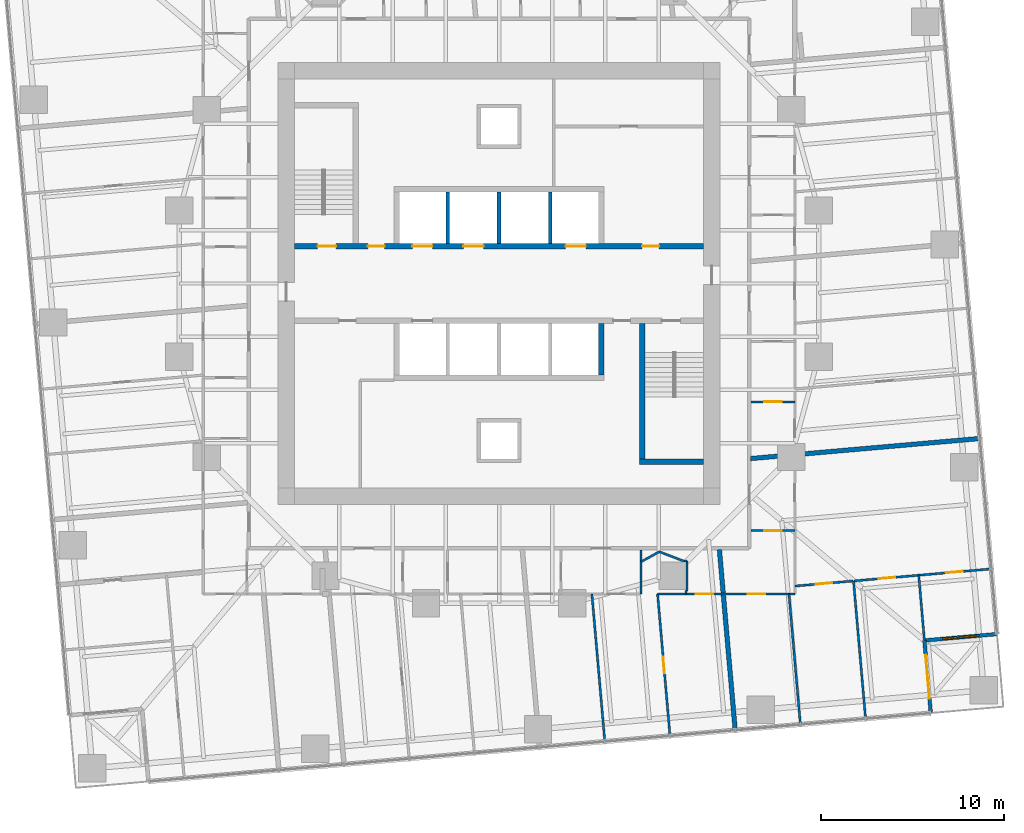
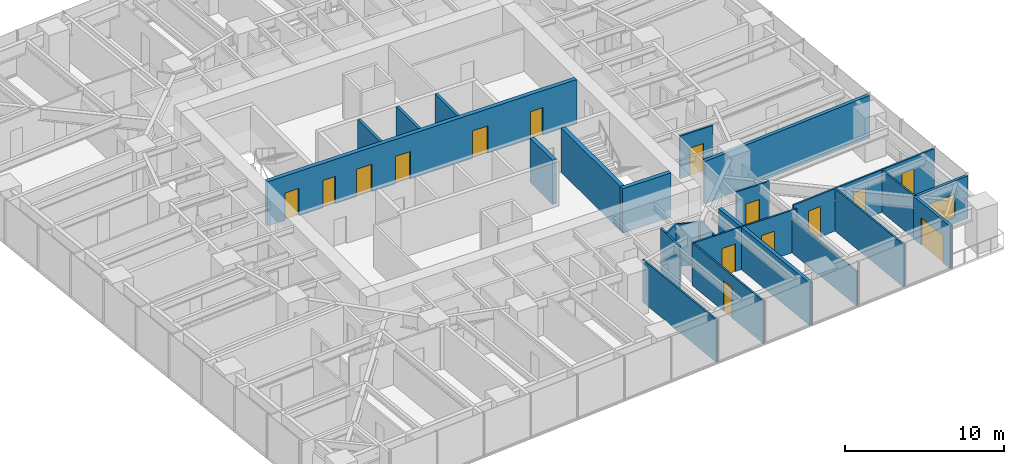
# One storey, part 10 of 14: 27 walls, 15 doors, 1 window, 16 openings.
"""IFC4 building model written with IfcOpenShell, lengths in metres."""

from ifc_helpers import new_model, si_unit, direction, frame, frame_2d, origin, place, context, subcontext, project, spatial, rectangle, extrude, material, layer, layer_set, type_object, element, fill, save


model = new_model("IFC4")

# Units and contexts
model_context = context("Model", 3, precision=1e-05, world=origin(), true_north=direction((0.0, 1.0)))
body_context = subcontext(model_context, "Body", "Model", "MODEL_VIEW")
ifc_project = project(units=[si_unit("LENGTHUNIT", "METRE"), si_unit("AREAUNIT", "SQUARE_METRE"), si_unit("VOLUMEUNIT", "CUBIC_METRE"), si_unit("PLANEANGLEUNIT", "RADIAN"), si_unit("MASSUNIT", "GRAM", prefix="KILO")], contexts=[model_context])

# Site, building, storey
site_placement = place(None, origin())
site = spatial("IfcSite", under=ifc_project, at=site_placement, CompositionType="ELEMENT")
building_placement = place(site_placement, origin())
building = spatial("IfcBuilding", under=site, at=building_placement, Name="Torsade Residences", CompositionType="ELEMENT")
storey_placement = place(building_placement, frame((0.0, 0.0, 64.199951171875)))
storey = spatial("IfcBuildingStorey", under=building, at=storey_placement, Name="L17", CompositionType="ELEMENT", Elevation=64.199951171875)

# Wall, openings, doors
ifc_material_1 = material(Name="Concrete 80 MPa", Category="concrete")
ifc_layer_1 = layer(ifc_material_1, 0.300048828125)
ifc_layer_set_1 = layer_set([ifc_layer_1], Name="Concrete 80 MPa")
wall_type_1 = type_object("IfcWallType", Name="CORE INTERNAL WALL 300", PredefinedType="SHEAR", material=ifc_layer_set_1)
wall_1_placement = place(storey_placement, frame((28.800048828125, 32.050048828125, 0.0), z_axis=(0.0, 0.0, 1.0), x_axis=(1.0, 0.0, 0.0)))
wall_1 = element("IfcWall", 1, at=wall_1_placement, inside=storey, type_object=wall_type_1, Name="Core wall LN L17", PredefinedType="SHEAR", context=body_context, shape_type="SweptSolid", body=[
    extrude(rectangle(XDim=22.39990234375, YDim=0.300048828125, at=frame_2d((11.199951171875, 0.0))), origin(), (0.0, 0.0, 1.0), 3.400146484375),
])
opening_1_placement = place(wall_1_placement, frame((19.0400390625, 0.0, 0.0)))
opening_1 = element("IfcOpeningElement", 2, at=opening_1_placement, cuts=wall_1, Name="Opening D06", PredefinedType="OPENING", context=body_context, shape_type="SweptSolid", body=[
    extrude(rectangle(XDim=0.919921875, YDim=2.10009765625, at=frame_2d((0.4599609375, 1.050048828125))), frame((0.0, 0.159912109375, 0.0), z_axis=(0.0, -1.0, 0.0), x_axis=(1.0, 0.0, 0.0)), (0.0, 0.0, 1.0), 0.320068359375),
])
opening_2_placement = place(wall_1_placement, frame((1.264892578125, 0.0, 0.0)))
opening_2 = element("IfcOpeningElement", 3, at=opening_2_placement, cuts=wall_1, Name="Opening D03", PredefinedType="OPENING", context=body_context, shape_type="SweptSolid", body=[
    extrude(rectangle(XDim=1.02001953125, YDim=2.10009765625, at=frame_2d((0.510009765625, 1.050048828125))), frame((0.0, 0.159912109375, 0.0), z_axis=(0.0, -1.0, 0.0), x_axis=(1.0, 0.0, 0.0)), (0.0, 0.0, 1.0), 0.320068359375),
])
opening_3_placement = place(wall_1_placement, frame((4.014892578125, 0.0, 0.0)))
opening_3 = element("IfcOpeningElement", 4, at=opening_3_placement, cuts=wall_1, Name="Opening D06", PredefinedType="OPENING", context=body_context, shape_type="SweptSolid", body=[
    extrude(rectangle(XDim=0.919921875, YDim=2.10009765625, at=frame_2d((0.4599609375, 1.050048828125))), frame((0.0, 0.159912109375, 0.0), z_axis=(0.0, -1.0, 0.0), x_axis=(1.0, 0.0, 0.0)), (0.0, 0.0, 1.0), 0.320068359375),
])
opening_4_placement = place(wall_1_placement, frame((6.449951171875, 0.0, 0.0)))
opening_4 = element("IfcOpeningElement", 5, at=opening_4_placement, cuts=wall_1, Name="Opening LD", PredefinedType="OPENING", context=body_context, shape_type="SweptSolid", body=[
    extrude(rectangle(XDim=1.10009765625, YDim=2.10009765625, at=frame_2d((0.550048828125, 1.050048828125))), frame((0.0, 0.159912109375, 0.0), z_axis=(0.0, -1.0, 0.0), x_axis=(1.0, 0.0, 0.0)), (0.0, 0.0, 1.0), 0.320068359375),
])
opening_5_placement = place(wall_1_placement, frame((9.25, 0.0, 0.0)))
opening_5 = element("IfcOpeningElement", 6, at=opening_5_placement, cuts=wall_1, Name="Opening LD", PredefinedType="OPENING", context=body_context, shape_type="SweptSolid", body=[
    extrude(rectangle(XDim=1.10009765625, YDim=2.10009765625, at=frame_2d((0.550048828125, 1.050048828125))), frame((0.0, 0.159912109375, 0.0), z_axis=(0.0, -1.0, 0.0), x_axis=(1.0, 0.0, 0.0)), (0.0, 0.0, 1.0), 0.320068359375),
])
opening_6_placement = place(wall_1_placement, frame((14.85009765625, 0.0, 0.0)))
opening_6 = element("IfcOpeningElement", 7, at=opening_6_placement, cuts=wall_1, Name="Opening LD", PredefinedType="OPENING", context=body_context, shape_type="SweptSolid", body=[
    extrude(rectangle(XDim=1.10009765625, YDim=2.10009765625, at=frame_2d((0.550048828125, 1.050048828125))), frame((0.0, 0.159912109375, 0.0), z_axis=(0.0, -1.0, 0.0), x_axis=(1.0, 0.0, 0.0)), (0.0, 0.0, 1.0), 0.320068359375),
])
ifc_material_2 = material(Name="Steel-framed fire door", Category="steel")
door_type_1 = type_object("IfcDoorType", Name="FIRE DOOR 1020", OperationType="NOTDEFINED", PredefinedType="DOOR", material=ifc_material_2)
door_1_placement = place(opening_2_placement, origin())
door_1 = element("IfcDoor", 8, at=door_1_placement, inside=storey, type_object=door_type_1, Name="Exit door to fire-isolated stair ST1 L17", OperationType="SINGLE_SWING_RIGHT", OverallHeight=2.10009765625, OverallWidth=1.02001953125, PredefinedType="DOOR", context=body_context, shape_type="SweptSolid", body=[
    extrude(rectangle(XDim=1.02001953125, YDim=2.10009765625, at=frame_2d((0.510009765625, 1.050048828125))), frame((0.0, 0.02490234375, 0.0), z_axis=(0.0, -1.0, 0.0), x_axis=(1.0, 0.0, 0.0)), (0.0, 0.0, 1.0), 0.050048828125),
])
fill(opening_2, door_1)
ifc_material_3 = material(Name="Steel-framed fire door", Category="steel")
door_type_2 = type_object("IfcDoorType", Name="FIRE DOOR 920", OperationType="NOTDEFINED", PredefinedType="DOOR", material=ifc_material_3)
door_2_placement = place(opening_1_placement, origin())
door_2 = element("IfcDoor", 9, at=door_2_placement, inside=storey, type_object=door_type_2, Name="Door Lift lobby to Refuse room", OperationType="SINGLE_SWING_LEFT", OverallHeight=2.10009765625, OverallWidth=0.919921875, PredefinedType="DOOR", context=body_context, shape_type="SweptSolid", body=[
    extrude(rectangle(XDim=0.919921875, YDim=2.10009765625, at=frame_2d((0.4599609375, 1.050048828125))), frame((0.0, 0.02490234375, 0.0), z_axis=(0.0, -1.0, 0.0), x_axis=(1.0, 0.0, 0.0)), (0.0, 0.0, 1.0), 0.050048828125),
])
fill(opening_1, door_2)
door_3_placement = place(opening_3_placement, origin())
door_3 = element("IfcDoor", 10, at=door_3_placement, inside=storey, type_object=door_type_2, Name="Door Lift lobby to Electrical riser room", OperationType="SINGLE_SWING_LEFT", OverallHeight=2.10009765625, OverallWidth=0.919921875, PredefinedType="DOOR", context=body_context, shape_type="SweptSolid", body=[
    extrude(rectangle(XDim=0.919921875, YDim=2.10009765625, at=frame_2d((0.4599609375, 1.050048828125))), frame((0.0, 0.02490234375, 0.0), z_axis=(0.0, -1.0, 0.0), x_axis=(1.0, 0.0, 0.0)), (0.0, 0.0, 1.0), 0.050048828125),
])
fill(opening_3, door_3)
ifc_material_4 = material(Name="Stainless steel lift landing door", Category="steel")
door_type_3 = type_object("IfcDoorType", Name="LIFT LANDING DOOR 1100", OperationType="SLIDING_TO_LEFT", PredefinedType="DOOR", material=ifc_material_4)
door_4_placement = place(opening_4_placement, origin())
door_4 = element("IfcDoor", 11, at=door_4_placement, inside=storey, type_object=door_type_3, Name="Lift LA1 landing door L17", OperationType="SLIDING_TO_LEFT", OverallHeight=2.10009765625, OverallWidth=1.10009765625, PredefinedType="DOOR", context=body_context, shape_type="SweptSolid", body=[
    extrude(rectangle(XDim=1.10009765625, YDim=2.10009765625, at=frame_2d((0.550048828125, 1.050048828125))), frame((0.0, 0.02490234375, 0.0), z_axis=(0.0, -1.0, 0.0), x_axis=(1.0, 0.0, 0.0)), (0.0, 0.0, 1.0), 0.050048828125),
])
fill(opening_4, door_4)
door_5_placement = place(opening_5_placement, origin())
door_5 = element("IfcDoor", 12, at=door_5_placement, inside=storey, type_object=door_type_3, Name="Lift LA2 landing door L17", OperationType="SLIDING_TO_LEFT", OverallHeight=2.10009765625, OverallWidth=1.10009765625, PredefinedType="DOOR", context=body_context, shape_type="SweptSolid", body=[
    extrude(rectangle(XDim=1.10009765625, YDim=2.10009765625, at=frame_2d((0.550048828125, 1.050048828125))), frame((0.0, 0.02490234375, 0.0), z_axis=(0.0, -1.0, 0.0), x_axis=(1.0, 0.0, 0.0)), (0.0, 0.0, 1.0), 0.050048828125),
])
fill(opening_5, door_5)
door_6_placement = place(opening_6_placement, origin())
door_6 = element("IfcDoor", 13, at=door_6_placement, inside=storey, type_object=door_type_3, Name="Lift FL1 landing door L17", OperationType="SLIDING_TO_LEFT", OverallHeight=2.10009765625, OverallWidth=1.10009765625, PredefinedType="DOOR", context=body_context, shape_type="SweptSolid", body=[
    extrude(rectangle(XDim=1.10009765625, YDim=2.10009765625, at=frame_2d((0.550048828125, 1.050048828125))), frame((0.0, 0.02490234375, 0.0), z_axis=(0.0, -1.0, 0.0), x_axis=(1.0, 0.0, 0.0)), (0.0, 0.0, 1.0), 0.050048828125),
])
fill(opening_6, door_6)

# Walls
wall_2_placement = place(storey_placement, frame((45.60009765625, 27.800048828125, 0.0), z_axis=(0.0, 0.0, 1.0), x_axis=(0.0, -1.0, 0.0)))
element("IfcWall", 14, at=wall_2_placement, inside=storey, type_object=wall_type_1, Name="Core wall DS0 L17", PredefinedType="SHEAR", context=body_context, shape_type="SweptSolid", body=[
    extrude(rectangle(XDim=2.800048828125, YDim=0.300048828125, at=frame_2d((1.39990234375, 0.0))), origin(), (0.0, 0.0, 1.0), 3.400146484375),
])
wall_3_placement = place(storey_placement, frame((47.85009765625, 27.800048828125, 0.0), z_axis=(0.0, 0.0, 1.0), x_axis=(0.0, -1.0, 0.0)))
element("IfcWall", 15, at=wall_3_placement, inside=storey, type_object=wall_type_1, Name="Core wall ST2W L17", PredefinedType="SHEAR", context=body_context, shape_type="SweptSolid", body=[
    extrude(rectangle(XDim=7.699951171875, YDim=0.300048828125, at=frame_2d((3.85009765625, 0.0))), origin(), (0.0, 0.0, 1.0), 3.400146484375),
])
wall_4_placement = place(storey_placement, frame((51.199951171875, 20.25, 0.0), z_axis=(0.0, 0.0, 1.0), x_axis=(-1.0, 0.0, 0.0)))
element("IfcWall", 16, at=wall_4_placement, inside=storey, type_object=wall_type_1, Name="Core wall ST2S L17", PredefinedType="SHEAR", context=body_context, shape_type="SweptSolid", body=[
    extrude(rectangle(XDim=3.5, YDim=0.300048828125, at=frame_2d((1.75, 0.0))), origin(), (0.0, 0.0, 1.0), 3.400146484375),
])
ifc_material_5 = material(Name="Reinforced blockwork", Category="masonry")
ifc_layer_2 = layer(ifc_material_5, 0.199951171875)
ifc_layer_set_2 = layer_set([ifc_layer_2], Name="Reinforced blockwork")
wall_type_2 = type_object("IfcWallType", Name="LIFT SHAFT DIVIDING WALL 200", PredefinedType="SOLIDWALL", material=ifc_layer_set_2)
for number, where, z_axis, x_axis, name in (
    (17, (37.199951171875, 32.199951171875, 0.0), (0.0, 0.0, 1.0), (0.0, 1.0, 0.0), "Core wall DN1 L17"),
    (18, (40.0, 32.199951171875, 0.0), (0.0, 0.0, 1.0), (0.0, 1.0, 0.0), "Core wall DN2 L17"),
    (19, (42.800048828125, 32.199951171875, 0.0), (0.0, 0.0, 1.0), (0.0, 1.0, 0.0), "Core wall DN3 L17"),
):
    element("IfcWall", number, at=place(storey_placement, frame(where, z_axis=z_axis, x_axis=x_axis)), inside=storey, type_object=wall_type_2, Name=name, PredefinedType="SOLIDWALL", context=body_context, shape_type="SweptSolid", body=[
        extrude(rectangle(XDim=2.800048828125, YDim=0.199951171875, at=frame_2d((1.39990234375, 0.0))), origin(), (0.0, 0.0, 1.0), 3.400146484375),
    ])
ifc_material_6 = material(Name="Plasterboard on steel stud", Category="steel")
ifc_layer_3 = layer(ifc_material_6, 0.1201171875)
ifc_layer_set_3 = layer_set([ifc_layer_3], Name="Plasterboard on steel stud")
wall_type_3 = type_object("IfcWallType", Name="PARTITION 120", PredefinedType="PARTITIONING", material=ifc_layer_set_3)
wall_5_placement = place(storey_placement, frame((47.7783203125, 15.39990234375, 0.0), z_axis=(0.0, 0.0, 1.0), x_axis=(0.0, -1.0, 0.0)))
element("IfcWall", 20, at=wall_5_placement, inside=storey, type_object=wall_type_3, Name="Partition L17", PredefinedType="PARTITIONING", context=body_context, shape_type="SweptSolid", body=[
    extrude(rectangle(XDim=2.39990234375, YDim=0.1201171875, at=frame_2d((1.199951171875, 0.0))), origin(), (0.0, 0.0, 1.0), 3.25),
])
wall_6_placement = place(storey_placement, frame((50.23876953125, 13.0, 0.0), z_axis=(0.0, 0.0, 1.0), x_axis=(0.045131013234, 0.99898107672, 0.0)))
element("IfcWall", 21, at=wall_6_placement, inside=storey, type_object=wall_type_3, Name="Partition L17", PredefinedType="PARTITIONING", context=body_context, shape_type="SweptSolid", body=[
    extrude(rectangle(XDim=0.2001953125, YDim=0.1201171875, at=frame_2d((0.10009765625, 0.0))), origin(), (0.0, 0.0, 1.0), 3.25),
])
wall_7_placement = place(storey_placement, frame((50.300048828125, 13.199951171875, 0.0), z_axis=(0.0, 0.0, 1.0), x_axis=(0.0, 1.0, 0.0)))
element("IfcWall", 22, at=wall_7_placement, inside=storey, type_object=wall_type_3, Name="Partition L17", PredefinedType="PARTITIONING", context=body_context, shape_type="SweptSolid", body=[
    extrude(rectangle(XDim=1.60009765625, YDim=0.1201171875, at=frame_2d((0.800048828125, 0.0))), origin(), (0.0, 0.0, 1.0), 3.25),
])
wall_8_placement = place(storey_placement, frame((50.119140625, 14.800048828125, 0.0), z_axis=(0.0, 0.0, 1.0), x_axis=(-0.934135067997, 0.356919703488, 0.0)))
element("IfcWall", 23, at=wall_8_placement, inside=storey, type_object=wall_type_3, Name="Partition L17", PredefinedType="PARTITIONING", context=body_context, shape_type="SweptSolid", body=[
    extrude(rectangle(XDim=1.4384765625, YDim=0.1201171875, at=frame_2d((0.71923828125, 0.0))), origin(), (0.0, 0.0, 1.0), 3.25),
])
wall_9_placement = place(storey_placement, frame((48.775390625, 15.3134765625, 0.0), z_axis=(0.0, 0.0, 1.0), x_axis=(-0.875508887439, -0.483202015741, 0.0)))
element("IfcWall", 24, at=wall_9_placement, inside=storey, type_object=wall_type_3, Name="Partition L17", PredefinedType="PARTITIONING", context=body_context, shape_type="SweptSolid", body=[
    extrude(rectangle(XDim=1.138916015625, YDim=0.1201171875, at=frame_2d((0.5693359375, 0.0))), origin(), (0.0, 0.0, 1.0), 3.25),
])

# Wall, openings, doors
wall_10_placement = place(storey_placement, frame((56.199951171875, 13.0, 0.0), z_axis=(0.0, 0.0, 1.0), x_axis=(-1.0, 0.0, 0.0)))
wall_10 = element("IfcWall", 25, at=wall_10_placement, inside=storey, type_object=wall_type_3, Name="Partition L17", PredefinedType="PARTITIONING", context=body_context, shape_type="SweptSolid", body=[
    extrude(rectangle(XDim=7.5185546875, YDim=0.1201171875, at=frame_2d((3.75927734375, 0.0))), origin(), (0.0, 0.0, 1.0), 3.25),
])
opening_7_placement = place(wall_10_placement, frame((1.617919921875, 0.0, 0.0)))
opening_7 = element("IfcOpeningElement", 26, at=opening_7_placement, cuts=wall_10, Name="Opening D05", PredefinedType="OPENING", context=body_context, shape_type="SweptSolid", body=[
    extrude(rectangle(XDim=0.9599609375, YDim=2.10009765625, at=frame_2d((0.47998046875, 1.050048828125))), frame((0.0, 0.070068359375, 0.0), z_axis=(0.0, -1.0, 0.0), x_axis=(1.0, 0.0, 0.0)), (0.0, 0.0, 1.0), 0.14013671875),
])
opening_8_placement = place(wall_10_placement, frame((4.46142578125, 0.0, 0.0)))
opening_8 = element("IfcOpeningElement", 27, at=opening_8_placement, cuts=wall_10, Name="Opening D05", PredefinedType="OPENING", context=body_context, shape_type="SweptSolid", body=[
    extrude(rectangle(XDim=0.9599609375, YDim=2.10009765625, at=frame_2d((0.47998046875, 1.050048828125))), frame((0.0, 0.070068359375, 0.0), z_axis=(0.0, -1.0, 0.0), x_axis=(1.0, 0.0, 0.0)), (0.0, 0.0, 1.0), 0.14013671875),
])
ifc_material_7 = material(Name="Hollow-core timber door in a steel cavity frame", Category="steel")
door_type_4 = type_object("IfcDoorType", Name="BATHROOM CAVITY SLIDING DOOR 960", OperationType="SLIDING_TO_LEFT", PredefinedType="DOOR", material=ifc_material_7)
door_7_placement = place(opening_7_placement, origin())
door_7 = element("IfcDoor", 28, at=door_7_placement, inside=storey, type_object=door_type_4, Name="Door Bathroom to Study", OperationType="SLIDING_TO_LEFT", OverallHeight=2.10009765625, OverallWidth=0.9599609375, PredefinedType="DOOR", context=body_context, shape_type="SweptSolid", body=[
    extrude(rectangle(XDim=0.9599609375, YDim=2.10009765625, at=frame_2d((0.47998046875, 1.050048828125))), frame((0.0, 0.02490234375, 0.0), z_axis=(0.0, -1.0, 0.0), x_axis=(1.0, 0.0, 0.0)), (0.0, 0.0, 1.0), 0.050048828125),
])
fill(opening_7, door_7)
door_8_placement = place(opening_8_placement, origin())
door_8 = element("IfcDoor", 29, at=door_8_placement, inside=storey, type_object=door_type_4, Name="Door Bedroom 2 to Bathroom", OperationType="SLIDING_TO_LEFT", OverallHeight=2.10009765625, OverallWidth=0.9599609375, PredefinedType="DOOR", context=body_context, shape_type="SweptSolid", body=[
    extrude(rectangle(XDim=0.9599609375, YDim=2.10009765625, at=frame_2d((0.47998046875, 1.050048828125))), frame((0.0, 0.02490234375, 0.0), z_axis=(0.0, -1.0, 0.0), x_axis=(1.0, 0.0, 0.0)), (0.0, 0.0, 1.0), 0.050048828125),
])
fill(opening_8, door_8)

# Wall
wall_11_placement = place(storey_placement, frame((45.084228515625, 13.0, 0.0), z_axis=(0.0, 0.0, 1.0), x_axis=(0.087184938313, -0.99619214338, 0.0)))
element("IfcWall", 30, at=wall_11_placement, inside=storey, type_object=wall_type_3, Name="Partition L17", PredefinedType="PARTITIONING", context=body_context, shape_type="SweptSolid", body=[
    extrude(rectangle(XDim=8.08154296875, YDim=0.1201171875, at=frame_2d((4.040771484375, 0.0))), origin(), (0.0, 0.0, 1.0), 3.25),
])

# Wall, opening, door
wall_12_placement = place(storey_placement, frame((48.681396484375, 13.0, 0.0), z_axis=(0.0, 0.0, 1.0), x_axis=(0.0871517452, -0.996195047824, 0.0)))
wall_12 = element("IfcWall", 31, at=wall_12_placement, inside=storey, type_object=wall_type_3, Name="Partition L17", PredefinedType="PARTITIONING", context=body_context, shape_type="SweptSolid", body=[
    extrude(rectangle(XDim=7.76806640625, YDim=0.1201171875, at=frame_2d((3.884033203125, 0.0))), origin(), (0.0, 0.0, 1.0), 3.25),
])
opening_9_placement = place(wall_12_placement, frame((3.444091796875, 0.0, 0.0)))
opening_9 = element("IfcOpeningElement", 32, at=opening_9_placement, cuts=wall_12, Name="Opening D02", PredefinedType="OPENING", context=body_context, shape_type="SweptSolid", body=[
    extrude(rectangle(XDim=0.919921875, YDim=2.340087890625, at=frame_2d((0.4599609375, 1.169921875))), frame((0.0, 0.070068359375, 0.0), z_axis=(0.0, -1.0, 0.0), x_axis=(1.0, 0.0, 0.0)), (0.0, 0.0, 1.0), 0.14013671875),
])
ifc_material_8 = material(Name="Hollow-core timber door", Category="wood")
door_type_5 = type_object("IfcDoorType", Name="INTERNAL DOOR 920x2340", OperationType="NOTDEFINED", PredefinedType="DOOR", material=ifc_material_8)
door_9_placement = place(opening_9_placement, origin())
door_9 = element("IfcDoor", 33, at=door_9_placement, inside=storey, type_object=door_type_5, Name="Door Bedroom 1 to Bedroom 2", OperationType="SINGLE_SWING_LEFT", OverallHeight=2.340087890625, OverallWidth=0.919921875, PredefinedType="DOOR", context=body_context, shape_type="SweptSolid", body=[
    extrude(rectangle(XDim=0.919921875, YDim=2.340087890625, at=frame_2d((0.4599609375, 1.169921875))), frame((0.0, 0.02490234375, 0.0), z_axis=(0.0, -1.0, 0.0), x_axis=(1.0, 0.0, 0.0)), (0.0, 0.0, 1.0), 0.050048828125),
])
fill(opening_9, door_9)

wall_13_placement = place(storey_placement, frame((56.199951171875, 16.469970703125, 0.0), z_axis=(0.0, 0.0, 1.0), x_axis=(-1.0, 0.0, 0.0)))
wall_13 = element("IfcWall", 34, at=wall_13_placement, inside=storey, type_object=wall_type_3, Name="Partition L17", PredefinedType="PARTITIONING", context=body_context, shape_type="SweptSolid", body=[
    extrude(rectangle(XDim=2.39990234375, YDim=0.1201171875, at=frame_2d((1.199951171875, 0.0))), origin(), (0.0, 0.0, 1.0), 3.25),
])
opening_10_placement = place(wall_13_placement, frame((0.719970703125, 0.0, 0.0)))
opening_10 = element("IfcOpeningElement", 35, at=opening_10_placement, cuts=wall_13, Name="Opening D05", PredefinedType="OPENING", context=body_context, shape_type="SweptSolid", body=[
    extrude(rectangle(XDim=0.9599609375, YDim=2.10009765625, at=frame_2d((0.47998046875, 1.050048828125))), frame((0.0, 0.070068359375, 0.0), z_axis=(0.0, -1.0, 0.0), x_axis=(1.0, 0.0, 0.0)), (0.0, 0.0, 1.0), 0.14013671875),
])
door_10_placement = place(opening_10_placement, origin())
door_10 = element("IfcDoor", 36, at=door_10_placement, inside=storey, type_object=door_type_4, Name="Door Kitchen and dining to Bathroom", OperationType="SLIDING_TO_LEFT", OverallHeight=2.10009765625, OverallWidth=0.9599609375, PredefinedType="DOOR", context=body_context, shape_type="SweptSolid", body=[
    extrude(rectangle(XDim=0.9599609375, YDim=2.10009765625, at=frame_2d((0.47998046875, 1.050048828125))), frame((0.0, 0.02490234375, 0.0), z_axis=(0.0, -1.0, 0.0), x_axis=(1.0, 0.0, 0.0)), (0.0, 0.0, 1.0), 0.050048828125),
])
fill(opening_10, door_10)

# Wall
wall_14_placement = place(storey_placement, frame((60.0673828125, 6.198486328125, 0.0), z_axis=(0.0, 0.0, 1.0), x_axis=(-0.087161730761, 0.99619417419, 0.0)))
element("IfcWall", 37, at=wall_14_placement, inside=storey, type_object=wall_type_3, Name="Partition L17", PredefinedType="PARTITIONING", context=body_context, shape_type="SweptSolid", body=[
    extrude(rectangle(XDim=7.543212890625, YDim=0.1201171875, at=frame_2d((3.771484375, 0.0))), origin(), (0.0, 0.0, 1.0), 3.25),
])

# Wall, openings, doors
wall_15_placement = place(storey_placement, frame((66.924560546875, 14.37060546875, 0.0), z_axis=(0.0, 0.0, 1.0), x_axis=(-0.996192271243, -0.087183477305, 0.0)))
wall_15 = element("IfcWall", 38, at=wall_15_placement, inside=storey, type_object=wall_type_3, Name="Partition L17", PredefinedType="PARTITIONING", context=body_context, shape_type="SweptSolid", body=[
    extrude(rectangle(XDim=7.51318359375, YDim=0.1201171875, at=frame_2d((3.756591796875, 0.0))), origin(), (0.0, 0.0, 1.0), 3.25),
])
opening_11_placement = place(wall_15_placement, frame((1.5400390625, 0.0, 0.0)))
opening_11 = element("IfcOpeningElement", 39, at=opening_11_placement, cuts=wall_15, Name="Opening D02", PredefinedType="OPENING", context=body_context, shape_type="SweptSolid", body=[
    extrude(rectangle(XDim=0.919921875, YDim=2.340087890625, at=frame_2d((0.4599609375, 1.169921875))), frame((0.0, 0.070068359375, 0.0), z_axis=(0.0, -1.0, 0.0), x_axis=(1.0, 0.0, 0.0)), (0.0, 0.0, 1.0), 0.14013671875),
])
opening_12_placement = place(wall_15_placement, frame((5.251708984375, 0.0, 0.0)))
opening_12 = element("IfcOpeningElement", 40, at=opening_12_placement, cuts=wall_15, Name="Opening D02", PredefinedType="OPENING", context=body_context, shape_type="SweptSolid", body=[
    extrude(rectangle(XDim=0.919921875, YDim=2.340087890625, at=frame_2d((0.4599609375, 1.169921875))), frame((0.0, 0.070068359375, 0.0), z_axis=(0.0, -1.0, 0.0), x_axis=(1.0, 0.0, 0.0)), (0.0, 0.0, 1.0), 0.14013671875),
])
door_11_placement = place(opening_11_placement, origin())
door_11 = element("IfcDoor", 41, at=door_11_placement, inside=storey, type_object=door_type_5, Name="Door Living room to Family room", OperationType="SINGLE_SWING_RIGHT", OverallHeight=2.340087890625, OverallWidth=0.919921875, PredefinedType="DOOR", context=body_context, shape_type="SweptSolid", body=[
    extrude(rectangle(XDim=0.919921875, YDim=2.340087890625, at=frame_2d((0.4599609375, 1.169921875))), frame((0.0, 0.02490234375, 0.0), z_axis=(0.0, -1.0, 0.0), x_axis=(1.0, 0.0, 0.0)), (0.0, 0.0, 1.0), 0.050048828125),
])
fill(opening_11, door_11)
door_12_placement = place(opening_12_placement, origin())
door_12 = element("IfcDoor", 42, at=door_12_placement, inside=storey, type_object=door_type_5, Name="Door Living room to Bedroom 1", OperationType="SINGLE_SWING_LEFT", OverallHeight=2.340087890625, OverallWidth=0.919921875, PredefinedType="DOOR", context=body_context, shape_type="SweptSolid", body=[
    extrude(rectangle(XDim=0.919921875, YDim=2.340087890625, at=frame_2d((0.4599609375, 1.169921875))), frame((0.0, 0.02490234375, 0.0), z_axis=(0.0, -1.0, 0.0), x_axis=(1.0, 0.0, 0.0)), (0.0, 0.0, 1.0), 0.050048828125),
])
fill(opening_12, door_12)

# Wall, opening, door
wall_16_placement = place(storey_placement, frame((59.380126953125, 13.71044921875, 0.0), z_axis=(0.0, 0.0, 1.0), x_axis=(-0.996197121005, -0.087128044293, 0.0)))
wall_16 = element("IfcWall", 43, at=wall_16_placement, inside=storey, type_object=wall_type_3, Name="Partition L17", PredefinedType="PARTITIONING", context=body_context, shape_type="SweptSolid", body=[
    extrude(rectangle(XDim=3.191650390625, YDim=0.1201171875, at=frame_2d((1.595703125, 0.0))), origin(), (0.0, 0.0, 1.0), 3.25),
])
opening_13_placement = place(wall_16_placement, frame((1.1357421875, 0.0, 0.0)))
opening_13 = element("IfcOpeningElement", 44, at=opening_13_placement, cuts=wall_16, Name="Opening D02", PredefinedType="OPENING", context=body_context, shape_type="SweptSolid", body=[
    extrude(rectangle(XDim=0.919921875, YDim=2.340087890625, at=frame_2d((0.4599609375, 1.169921875))), frame((0.0, 0.070068359375, 0.0), z_axis=(0.0, -1.0, 0.0), x_axis=(1.0, 0.0, 0.0)), (0.0, 0.0, 1.0), 0.14013671875),
])
door_13_placement = place(opening_13_placement, origin())
door_13 = element("IfcDoor", 45, at=door_13_placement, inside=storey, type_object=door_type_5, Name="Door Living room to Bedroom 2", OperationType="SINGLE_SWING_LEFT", OverallHeight=2.340087890625, OverallWidth=0.919921875, PredefinedType="DOOR", context=body_context, shape_type="SweptSolid", body=[
    extrude(rectangle(XDim=0.919921875, YDim=2.340087890625, at=frame_2d((0.4599609375, 1.169921875))), frame((0.0, 0.02490234375, 0.0), z_axis=(0.0, -1.0, 0.0), x_axis=(1.0, 0.0, 0.0)), (0.0, 0.0, 1.0), 0.050048828125),
])
fill(opening_13, door_13)

# Walls
wall_17_placement = place(storey_placement, frame((62.979736328125, 14.025390625, 0.0), z_axis=(0.0, 0.0, 1.0), x_axis=(0.087161821847, -0.996194166221, 0.0)))
element("IfcWall", 46, at=wall_17_placement, inside=storey, type_object=wall_type_3, Name="Partition L17", PredefinedType="PARTITIONING", context=body_context, shape_type="SweptSolid", body=[
    extrude(rectangle(XDim=3.543212890625, YDim=0.1201171875, at=frame_2d((1.771484375, 0.0))), origin(), (0.0, 0.0, 1.0), 3.25),
])
wall_18_placement = place(storey_placement, frame((56.497802734375, 5.88623046875, 0.0), z_axis=(0.0, 0.0, 1.0), x_axis=(-0.087147441029, 0.996195424363, 0.0)))
element("IfcWall", 47, at=wall_18_placement, inside=storey, type_object=wall_type_3, Name="Partition L17", PredefinedType="PARTITIONING", context=body_context, shape_type="SweptSolid", body=[
    extrude(rectangle(XDim=7.140869140625, YDim=0.1201171875, at=frame_2d((3.5703125, 0.0))), origin(), (0.0, 0.0, 1.0), 2.637939453125),
])

# Wall, opening, door
wall_19_placement = place(storey_placement, frame((56.199951171875, 23.51953125, 0.0), z_axis=(0.0, 0.0, 1.0), x_axis=(-1.0, 0.0, 0.0)))
wall_19 = element("IfcWall", 48, at=wall_19_placement, inside=storey, type_object=wall_type_3, Name="Partition L17", PredefinedType="PARTITIONING", context=body_context, shape_type="SweptSolid", body=[
    extrude(rectangle(XDim=2.39990234375, YDim=0.1201171875, at=frame_2d((1.199951171875, 0.0))), origin(), (0.0, 0.0, 1.0), 3.25),
])
opening_14_placement = place(wall_19_placement, frame((0.719970703125, 0.0, 0.0)))
opening_14 = element("IfcOpeningElement", 49, at=opening_14_placement, cuts=wall_19, Name="Opening D05", PredefinedType="OPENING", context=body_context, shape_type="SweptSolid", body=[
    extrude(rectangle(XDim=0.9599609375, YDim=2.10009765625, at=frame_2d((0.47998046875, 1.050048828125))), frame((0.0, 0.070068359375, 0.0), z_axis=(0.0, -1.0, 0.0), x_axis=(1.0, 0.0, 0.0)), (0.0, 0.0, 1.0), 0.14013671875),
])
door_14_placement = place(opening_14_placement, origin())
door_14 = element("IfcDoor", 50, at=door_14_placement, inside=storey, type_object=door_type_4, Name="Door Bathroom to Ensuite", OperationType="SLIDING_TO_LEFT", OverallHeight=2.10009765625, OverallWidth=0.9599609375, PredefinedType="DOOR", context=body_context, shape_type="SweptSolid", body=[
    extrude(rectangle(XDim=0.9599609375, YDim=2.10009765625, at=frame_2d((0.47998046875, 1.050048828125))), frame((0.0, 0.02490234375, 0.0), z_axis=(0.0, -1.0, 0.0), x_axis=(1.0, 0.0, 0.0)), (0.0, 0.0, 1.0), 0.050048828125),
])
fill(opening_14, door_14)

# Walls
wall_20_placement = place(storey_placement, frame((50.300048828125, 14.800048828125, 0.0), z_axis=(0.0, 0.0, 1.0), x_axis=(-1.0, 0.0, 0.0)))
element("IfcWall", 51, at=wall_20_placement, inside=storey, type_object=wall_type_3, Name="Partition L17", PredefinedType="PARTITIONING", context=body_context, shape_type="SweptSolid", body=[
    extrude(rectangle(XDim=0.180908203125, YDim=0.1201171875, at=frame_2d((0.09033203125, 0.0))), origin(), (0.0, 0.0, 1.0), 3.25),
])
ifc_material_9 = material(Name="Masonry-lined stud party wall", Category="masonry")
ifc_layer_4 = layer(ifc_material_9, 0.25)
ifc_layer_set_4 = layer_set([ifc_layer_4], Name="Masonry-lined stud party wall")
wall_type_4 = type_object("IfcWallType", Name="PARTY WALL 250", PredefinedType="PARTITIONING", material=ifc_layer_set_4)
wall_21_placement = place(storey_placement, frame((66.33984375, 21.513427734375, 0.0), z_axis=(0.0, 0.0, 1.0), x_axis=(-0.996194851608, -0.087153988028, 0.0)))
element("IfcWall", 52, at=wall_21_placement, inside=storey, type_object=wall_type_4, Name="Party wall L17", PredefinedType="PARTITIONING", context=body_context, shape_type="SweptSolid", body=[
    extrude(rectangle(XDim=12.616943359375, YDim=0.25, at=frame_2d((6.30859375, 0.0))), origin(), (0.0, 0.0, 1.0), 3.25),
])
wall_22_placement = place(storey_placement, frame((52.931640625, 5.533935546875, 0.0), z_axis=(0.0, 0.0, 1.0), x_axis=(-0.087157803114, 0.996194517831, 0.0)))
element("IfcWall", 53, at=wall_22_placement, inside=storey, type_object=wall_type_4, Name="Party wall L17", PredefinedType="PARTITIONING", context=body_context, shape_type="SweptSolid", body=[
    extrude(rectangle(XDim=9.932861328125, YDim=0.25, at=frame_2d((4.96630859375, 0.0))), origin(), (0.0, 0.0, 1.0), 3.25),
])

# Wall, opening, door
ifc_material_10 = material(Name="Stone-faced precast concrete 40 MPa panel", Category="masonry")
ifc_layer_5 = layer(ifc_material_10, 0.199951171875)
ifc_layer_set_5 = layer_set([ifc_layer_5], Name="Stone-faced precast concrete 40 MPa panel")
wall_type_5 = type_object("IfcWallType", Name="TERRACE WALL 200", PredefinedType="SOLIDWALL", material=ifc_layer_set_5)
wall_23_placement = place(storey_placement, frame((63.640625, 6.470947265625, 0.0), z_axis=(0.0, 0.0, 1.0), x_axis=(-0.087161650072, 0.99619418125, 0.0)))
wall_23 = element("IfcWall", 54, at=wall_23_placement, inside=storey, type_object=wall_type_5, Name="Terrace wall L17 2", PredefinedType="SOLIDWALL", context=body_context, shape_type="SweptSolid", body=[
    extrude(rectangle(XDim=3.999755859375, YDim=0.199951171875, at=frame_2d((2.0, 0.0))), origin(), (0.0, 0.0, 1.0), 3.25),
])
opening_15_placement = place(wall_23_placement, frame((0.800048828125, 0.0, 0.0)))
opening_15 = element("IfcOpeningElement", 55, at=opening_15_placement, cuts=wall_23, Name="Opening D10A", PredefinedType="OPENING", context=body_context, shape_type="SweptSolid", body=[
    extrude(rectangle(XDim=2.39990234375, YDim=2.10009765625, at=frame_2d((1.199951171875, 1.050048828125))), frame((0.0, 0.10986328125, 0.0), z_axis=(0.0, -1.0, 0.0), x_axis=(1.0, 0.0, 0.0)), (0.0, 0.0, 1.0), 0.219970703125),
])
ifc_material_11 = material(Name="Aluminium-framed glass door", Category="aluminium")
door_type_6 = type_object("IfcDoorType", Name="TERRACE SLIDING DOOR 2400x2100", OperationType="SLIDING_TO_LEFT", PredefinedType="DOOR", material=ifc_material_11)
door_15_placement = place(opening_15_placement, origin())
door_15 = element("IfcDoor", 56, at=door_15_placement, inside=storey, type_object=door_type_6, Name="Terrace door L17 2", OperationType="SLIDING_TO_LEFT", OverallHeight=2.10009765625, OverallWidth=2.39990234375, PredefinedType="DOOR", context=body_context, shape_type="SweptSolid", body=[
    extrude(rectangle(XDim=2.39990234375, YDim=2.10009765625, at=frame_2d((1.199951171875, 1.050048828125))), frame((0.0, 0.02490234375, 0.0), z_axis=(0.0, -1.0, 0.0), x_axis=(1.0, 0.0, 0.0)), (0.0, 0.0, 1.0), 0.050048828125),
])
fill(opening_15, door_15)

# Wall, opening, window
wall_24_placement = place(storey_placement, frame((63.2919921875, 10.45556640625, 0.0), z_axis=(0.0, 0.0, 1.0), x_axis=(0.99619464492, 0.087156350505, 0.0)))
wall_24 = element("IfcWall", 57, at=wall_24_placement, inside=storey, type_object=wall_type_5, Name="Terrace wall L17 3", PredefinedType="SOLIDWALL", context=body_context, shape_type="SweptSolid", body=[
    extrude(rectangle(XDim=4.0, YDim=0.199951171875, at=frame_2d((2.0, 0.0))), origin(), (0.0, 0.0, 1.0), 3.25),
])
opening_16_placement = place(wall_24_placement, frame((1.0, 0.0, 0.449951171875)))
opening_16 = element("IfcOpeningElement", 58, at=opening_16_placement, cuts=wall_24, Name="Opening W1B", PredefinedType="OPENING", context=body_context, shape_type="SweptSolid", body=[
    extrude(rectangle(XDim=2.0, YDim=1.800048828125, at=frame_2d((1.0, 0.89990234375))), frame((0.0, 0.10986328125, 0.0), z_axis=(0.0, -1.0, 0.0), x_axis=(1.0, 0.0, 0.0)), (0.0, 0.0, 1.0), 0.219970703125),
])
ifc_material_12 = material(Name="Aluminium-framed glass window", Category="aluminium")
window_type = type_object("IfcWindowType", Name="TERRACE WINDOW 2000x1800", PartitioningType="SINGLE_PANEL", PredefinedType="WINDOW", material=ifc_material_12)
window_placement = place(opening_16_placement, origin())
window = element("IfcWindow", 59, at=window_placement, inside=storey, type_object=window_type, Name="Terrace window L17 3", OverallHeight=1.800048828125, OverallWidth=2.0, PartitioningType="SINGLE_PANEL", PredefinedType="WINDOW", context=body_context, shape_type="SweptSolid", body=[
    extrude(rectangle(XDim=2.0, YDim=1.800048828125, at=frame_2d((1.0, 0.89990234375))), frame((0.0, 0.030029296875, 0.0), z_axis=(0.0, -1.0, 0.0), x_axis=(1.0, 0.0, 0.0)), (0.0, 0.0, 1.0), 0.06005859375),
])
fill(opening_16, window)

save(model, "model.ifc")
